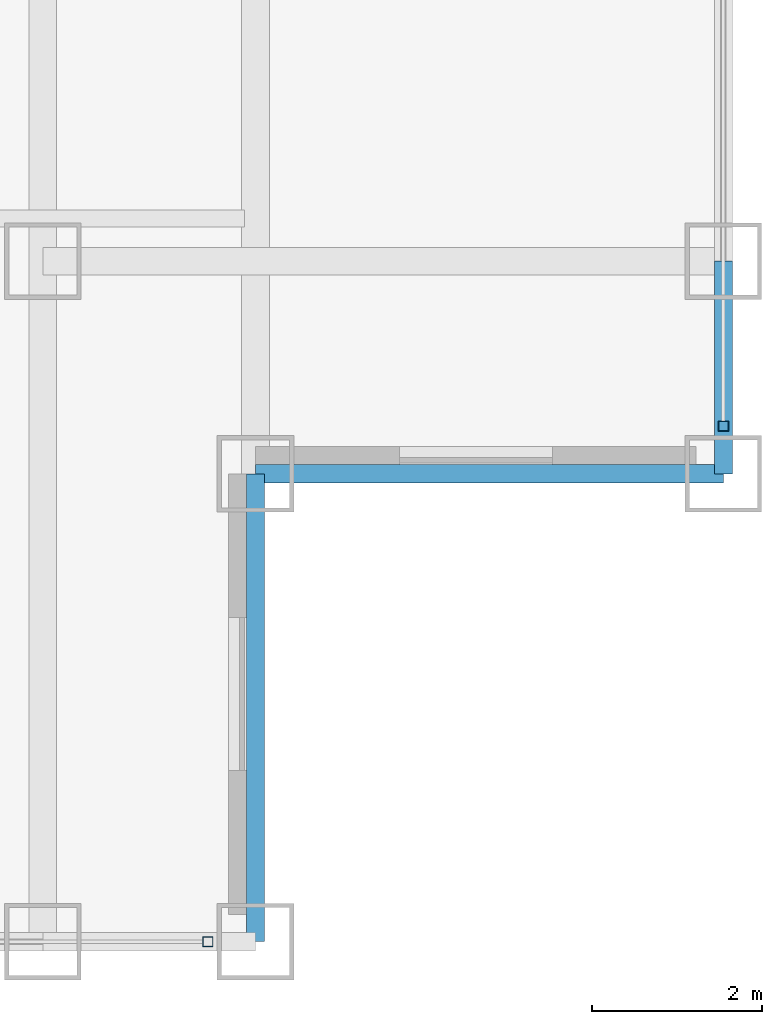
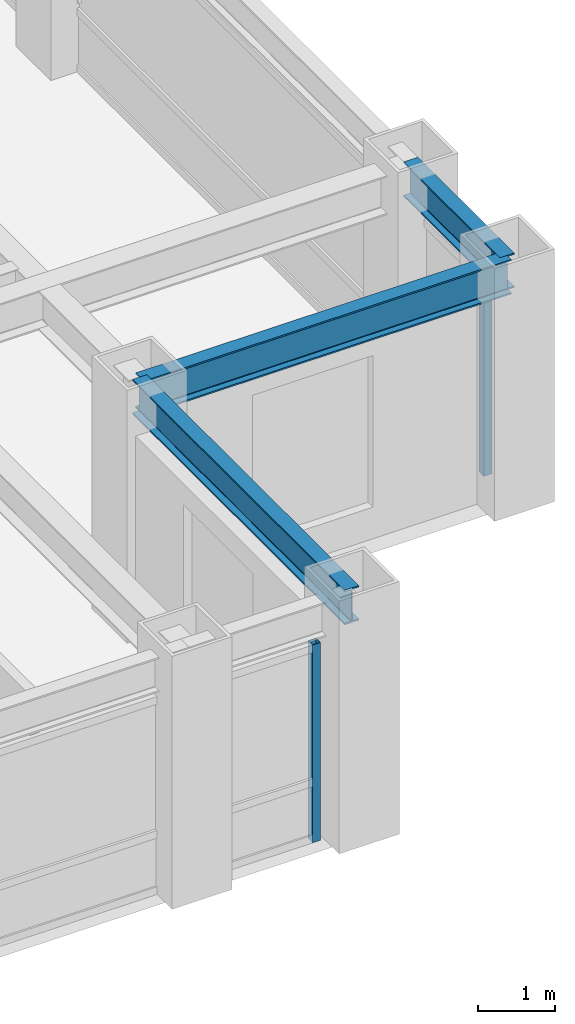
# One storey, part 8 of 22: 3 beams, 2 members, 2 elements without a shape of their own.
"""IFC4 building model written with IfcOpenShell, lengths in metres."""

from ifc_helpers import new_model, si_unit, direction, frame, origin, origin_2d, place, context, subcontext, project, spatial, hollow_rectangle, i_section, extrude, source, transform, mapped, material, material_profile, profile_set, type_object, element, aggregate, save


model = new_model("IFC4")

# Units and contexts
model_context = context("Model", 3, precision=1e-05, world=origin(), true_north=direction((0.0, 1.0)))
body_context = subcontext(model_context, "Body", "Model", "MODEL_VIEW")
ifc_project = project(units=[si_unit("LENGTHUNIT", "METRE"), si_unit("AREAUNIT", "SQUARE_METRE"), si_unit("VOLUMEUNIT", "CUBIC_METRE"), si_unit("PLANEANGLEUNIT", "RADIAN"), si_unit("MASSUNIT", "GRAM", prefix="KILO")], contexts=[model_context])

# Site, building, storey
site_placement = place(None, origin())
site = spatial("IfcSite", under=ifc_project, at=site_placement, CompositionType="ELEMENT")
building_placement = place(site_placement, origin())
building = spatial("IfcBuilding", under=site, at=building_placement, Name="Khorayat Bourse Tower", CompositionType="ELEMENT")
storey_placement = place(building_placement, frame((0.0, 0.0, 297.5)))
storey = spatial("IfcBuildingStorey", under=building, at=storey_placement, Name="L70", CompositionType="ELEMENT", Elevation=297.5)

# Beams
ifc_material_1 = material(Name="Steel ASTM A992 Grade 50", Category="steel")
ifc_material_profile_1 = material_profile(ifc_material_1, i_section(OverallWidth=0.214111328125, OverallDepth=0.549072265625, WebThickness=0.0146484375, FlangeThickness=0.023681640625, FilletRadius=0.013916015625, at=origin_2d()), Name="W530X138")
ifc_profile_set_1 = profile_set([ifc_material_profile_1], Name="Steel ASTM A992 Grade 50")
beam_type = type_object("IfcBeamType", Name="BM-SPAN-530", PredefinedType="SPANDREL", material=ifc_profile_set_1)
shared_shape_1 = source(origin(), body_context, "Body", "SweptSolid", [
    extrude(i_section(OverallWidth=0.214111328125, OverallDepth=0.549072265625, WebThickness=0.0146484375, FlangeThickness=0.023681640625, FilletRadius=0.013916015625, at=origin_2d()), origin(), (0.0, 0.0, 1.0), 2.5),
])
beam_placement = place(storey_placement, frame((28.0, -22.5, 3.505615234375), z_axis=(0.0, 1.0, 0.0), x_axis=(-1.0, 0.0, 0.0)))
element("IfcBeam", 1, at=beam_placement, inside=storey, type_object=beam_type, Name="L70 BM-SPAN-530 BM-L70-SPN-034", PredefinedType="SPANDREL", context=body_context, shape_type="MappedRepresentation", body=[
    mapped(shared_shape_1, transform((0.0, 0.0, 0.0), scale=1.0)),
])
shared_shape_2 = source(origin(), body_context, "Body", "SweptSolid", [
    extrude(i_section(OverallWidth=0.214111328125, OverallDepth=0.549072265625, WebThickness=0.0146484375, FlangeThickness=0.023681640625, FilletRadius=0.013916015625, at=origin_2d()), origin(), (0.0, 0.0, 1.0), 5.5),
])
for number, where, z_axis, x_axis, name in (
    (2, (22.5, -28.0, 3.505615234375), (0.0, 1.0, 0.0), (-1.0, 0.0, 0.0), "L70 BM-SPAN-530 BM-L70-SPN-032"),
    (3, (22.5, -22.5, 3.505615234375), (1.0, 0.0, 0.0), (0.0, 1.0, 0.0), "L70 BM-SPAN-530 BM-L70-SPN-033"),
):
    element("IfcBeam", number, at=place(storey_placement, frame(where, z_axis=z_axis, x_axis=x_axis)), inside=storey, type_object=beam_type, Name=name, PredefinedType="SPANDREL", context=body_context, shape_type="MappedRepresentation", body=[
        mapped(shared_shape_2, transform((0.0, 0.0, 0.0), scale=1.0)),
    ])

# Curtain wall, member
ifc_material_2 = material(Name="Aluminium EN AW-6063 T6", Category="aluminium")
curtain_wall_type = type_object("IfcCurtainWallType", Name="CW-SYS-04", PredefinedType="NOTDEFINED", material=ifc_material_2)
curtain_wall_1_placement = place(storey_placement, origin())
curtain_wall_1 = element("IfcCurtainWall", 4, at=curtain_wall_1_placement, inside=storey, type_object=curtain_wall_type, Name="L70 Curtain Wall CW-L70-S1", PredefinedType="NOTDEFINED")
ifc_material_profile_2 = material_profile(ifc_material_2, hollow_rectangle(XDim=0.1201171875, YDim=0.1201171875, WallThickness=0.0048828125, at=origin_2d()), Name="ALU 120x120x5")
ifc_profile_set_2 = profile_set([ifc_material_profile_2], Name="Aluminium EN AW-6063 T6")
member_type = type_object("IfcMemberType", Name="CWM-VERT-120", PredefinedType="MULLION", material=ifc_profile_set_2)
shared_shape_3 = source(origin(), body_context, "Body", "SweptSolid", [
    extrude(hollow_rectangle(XDim=0.1201171875, YDim=0.1201171875, WallThickness=0.0048828125, at=origin_2d()), origin(), (0.0, 0.0, 1.0), 3.1298828125),
])
member_1_placement = place(storey_placement, frame((21.93994140625, -28.0, 0.0), z_axis=(0.0, 0.0, 1.0), x_axis=(0.0, 1.0, 0.0)))
member_1 = element("IfcMember", 5, at=member_1_placement, type_object=member_type, Name="CW-L70-S1 Vertical Mullion 3", PredefinedType="MULLION", context=body_context, shape_type="MappedRepresentation", body=[
    mapped(shared_shape_3, transform((0.0, 0.0, 0.0), scale=1.0)),
])
aggregate(curtain_wall_1, [member_1])

curtain_wall_2_placement = place(storey_placement, origin())
curtain_wall_2 = element("IfcCurtainWall", 6, at=curtain_wall_2_placement, inside=storey, type_object=curtain_wall_type, Name="L70 Curtain Wall CW-L70-E1", PredefinedType="NOTDEFINED")
member_2_placement = place(storey_placement, frame((28.0, -21.93994140625, 0.0), z_axis=(0.0, 0.0, 1.0), x_axis=(-1.0, 0.0, 0.0)))
member_2 = element("IfcMember", 7, at=member_2_placement, type_object=member_type, Name="CW-L70-E1 Vertical Mullion 1", PredefinedType="MULLION", context=body_context, shape_type="MappedRepresentation", body=[
    mapped(shared_shape_3, transform((0.0, 0.0, 0.0), scale=1.0)),
])
aggregate(curtain_wall_2, [member_2])

save(model, "model.ifc")
